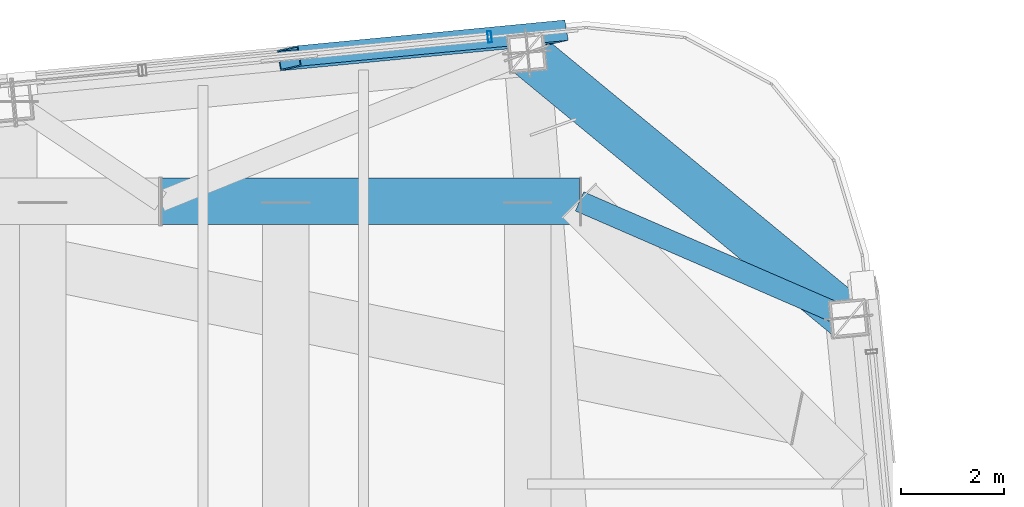
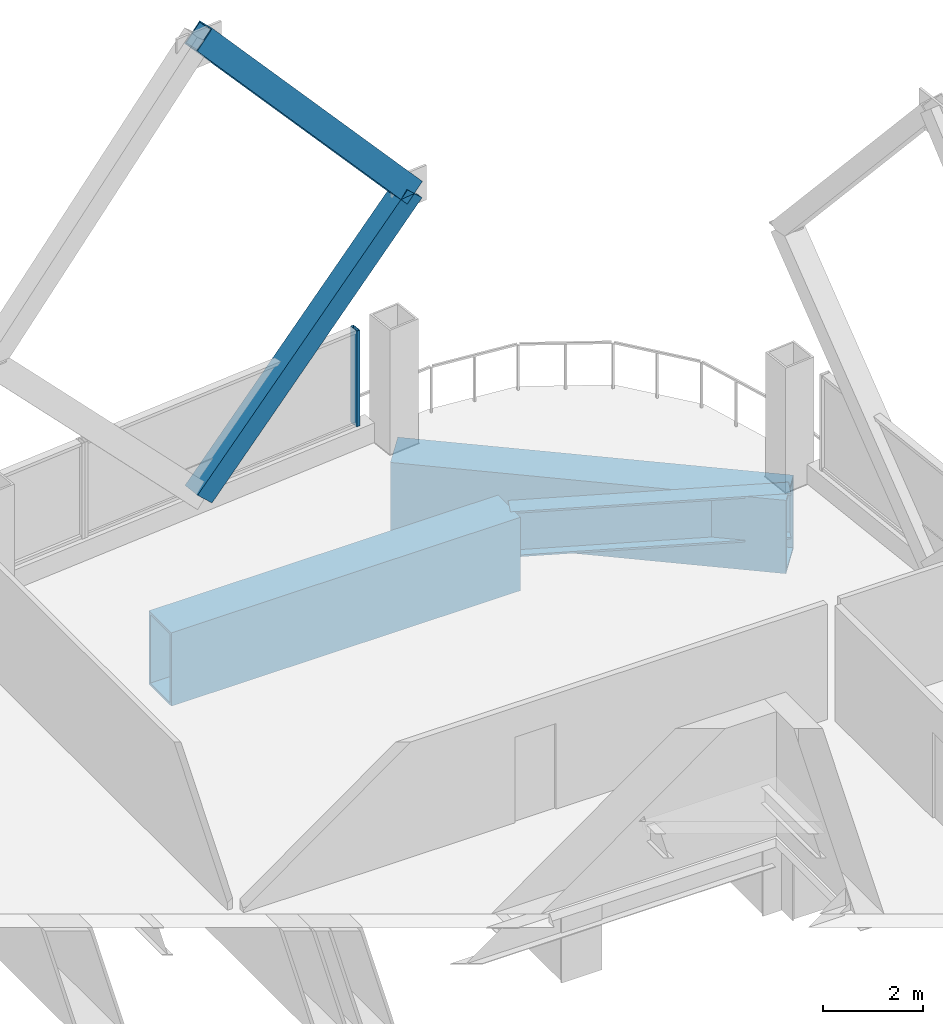
# One storey, part 28 of 37: 3 beams, 3 members, 1 element without a shape of its own.
"""IFC4 building model written with IfcOpenShell, lengths in metres."""

from ifc_helpers import new_model, si_unit, direction, frame, origin, origin_2d, place, context, subcontext, project, spatial, hollow_rectangle, i_section, extrude, material, layer, layer_set, material_profile, profile_set, type_object, element, aggregate, save


model = new_model("IFC4")

# Units and contexts
model_context = context("Model", 3, precision=1e-05, world=origin(), true_north=direction((0.0, 1.0)))
body_context = subcontext(model_context, "Body", "Model", "MODEL_VIEW")
ifc_project = project(units=[si_unit("LENGTHUNIT", "METRE"), si_unit("AREAUNIT", "SQUARE_METRE"), si_unit("VOLUMEUNIT", "CUBIC_METRE"), si_unit("PLANEANGLEUNIT", "RADIAN"), si_unit("MASSUNIT", "GRAM", prefix="KILO")], contexts=[model_context])

# Site, building, storey
site_placement = place(None, origin())
site = spatial("IfcSite", under=ifc_project, at=site_placement, CompositionType="ELEMENT")
building_placement = place(site_placement, origin())
building = spatial("IfcBuilding", under=site, at=building_placement, Name="Qhalaya Broadcast Tower", CompositionType="ELEMENT")
storey_placement = place(building_placement, frame((0.0, 0.0, 156.14990234375)))
storey = spatial("IfcBuildingStorey", under=building, at=storey_placement, Name="L45", CompositionType="ELEMENT", Elevation=156.14990234375)

# Beams
ifc_material_1 = material(Name="Structural Steel ASTM A572 Grade 50", Category="steel")
ifc_material_profile_1 = material_profile(ifc_material_1, hollow_rectangle(XDim=0.89990234375, YDim=1.800048828125, WallThickness=0.06005859375, at=origin_2d()), Name="BOX 900x1800x60")
ifc_profile_set_1 = profile_set([ifc_material_profile_1], Name="Structural Steel ASTM A572 Grade 50")
beam_type_1 = type_object("IfcBeamType", Name="Block Cantilever Transfer Box Girder TG1", PredefinedType="USERDEFINED", material=ifc_profile_set_1)
beam_1_placement = place(storey_placement, frame((15.58203125, 20.400390625, -1.119873046875), z_axis=(-0.771618906354, 0.636085107008, 0.0), x_axis=(-0.636085107008, -0.771618906354, 0.0)))
element("IfcBeam", 1, at=beam_1_placement, inside=storey, type_object=beam_type_1, Name="L45 TG1 L45-SPR-08", ObjectType="GIRDER", PredefinedType="USERDEFINED", context=body_context, shape_type="SweptSolid", body=[
    extrude(hollow_rectangle(XDim=0.89990234375, YDim=1.800048828125, WallThickness=0.06005859375, at=origin_2d()), origin(), (0.0, 0.0, 1.0), 8.06103515625),
])
beam_2_placement = place(storey_placement, frame((10.3798828125, 22.659912109375, -1.119873046875), z_axis=(-1.0, 0.0, 0.0), x_axis=(0.0, -1.0, 0.0)))
element("IfcBeam", 2, at=beam_2_placement, inside=storey, type_object=beam_type_1, Name="L45 TG1 L45-TGL-09", ObjectType="GIRDER", PredefinedType="USERDEFINED", context=body_context, shape_type="SweptSolid", body=[
    extrude(hollow_rectangle(XDim=0.89990234375, YDim=1.800048828125, WallThickness=0.06005859375, at=origin_2d()), origin(), (0.0, 0.0, 1.0), 8.099853515625),
])

# Members
ifc_material_profile_2 = material_profile(ifc_material_1, hollow_rectangle(XDim=0.39990234375, YDim=0.550048828125, WallThickness=0.02490234375, at=origin_2d()), Name="BOX 400x550x25")
ifc_profile_set_2 = profile_set([ifc_material_profile_2], Name="Structural Steel ASTM A572 Grade 50")
member_type_1 = type_object("IfcMemberType", Name="Exoskeleton Diamond Diagonal Mid-High EX3", PredefinedType="BRACE", material=ifc_profile_set_2)
member_1_placement = place(storey_placement, frame((4.76708984375, 25.427001953125, 0.360107421875), z_axis=(0.690631901239, 0.066504325889, 0.720142174594), x_axis=(-0.164115000923, 0.984197121098, 0.066500325516)))
element("IfcMember", 3, at=member_1_placement, inside=storey, type_object=member_type_1, Name="B4 Exoskeleton Diamond Brace N1-D1", PredefinedType="BRACE", context=body_context, shape_type="SweptSolid", body=[
    extrude(hollow_rectangle(XDim=0.39990234375, YDim=0.550048828125, WallThickness=0.02490234375, at=origin_2d()), origin(), (0.0, 0.0, 1.0), 7.470703125),
])
member_2_placement = place(storey_placement, frame((9.926513671875, 25.923828125, 5.739990234375), z_axis=(-0.659476642868, -0.06350423358, 0.749037896123), x_axis=(0.166871781183, -0.983931657235, 0.063500413668)))
element("IfcMember", 4, at=member_2_placement, inside=storey, type_object=member_type_1, Name="B4 Exoskeleton Diamond Brace N1-D3", PredefinedType="BRACE", context=body_context, shape_type="SweptSolid", body=[
    extrude(hollow_rectangle(XDim=0.39990234375, YDim=0.550048828125, WallThickness=0.02490234375, at=origin_2d()), origin(), (0.0, 0.0, 1.0), 7.823486328125),
])

# Beam
ifc_material_2 = material(Name="Structural Steel ASTM A992 Grade 50", Category="steel")
ifc_material_profile_3 = material_profile(ifc_material_2, i_section(OverallWidth=0.404052734375, OverallDepth=1.117919921875, WebThickness=0.026123046875, FlangeThickness=0.044921875, at=origin_2d()), Name="W44X335")
ifc_profile_set_3 = profile_set([ifc_material_profile_3], Name="Structural Steel ASTM A992 Grade 50")
beam_type_2 = type_object("IfcBeamType", Name="Podium Long-Span Primary Girder PG1", PredefinedType="USERDEFINED", material=ifc_profile_set_3)
beam_3_placement = place(storey_placement, frame((10.3798828125, 22.659912109375, -0.77880859375), z_axis=(0.917217129251, -0.398387672762, 0.0), x_axis=(0.398387672762, 0.917217129251, 0.0)))
element("IfcBeam", 5, at=beam_3_placement, inside=storey, type_object=beam_type_2, Name="L45 Column-to-Column Moment Tie Girder 08-2", ObjectType="GIRDER", PredefinedType="USERDEFINED", context=body_context, shape_type="SweptSolid", body=[
    extrude(i_section(OverallWidth=0.404052734375, OverallDepth=1.117919921875, WebThickness=0.026123046875, FlangeThickness=0.044921875, at=origin_2d()), origin(), (0.0, 0.0, 1.0), 5.671630859375),
])

# Curtain wall, member
ifc_material_3 = material(Name="Fired Architectural Terracotta", Category="masonry")
ifc_layer = layer(ifc_material_3, 0.219970703125, Name="Fired Architectural Terracotta")
ifc_layer_set = layer_set([ifc_layer], Name="Fired Architectural Terracotta")
curtain_wall_type = type_object("IfcCurtainWallType", Name="Block-Cap Unitised Terracotta Spandrel Wall CW-07", PredefinedType="NOTDEFINED", material=ifc_layer_set)
curtain_wall_placement = place(storey_placement, origin())
curtain_wall = element("IfcCurtainWall", 6, at=curtain_wall_placement, inside=storey, type_object=curtain_wall_type, Name="L45 Unitised Curtain Wall L45-CW-N1", PredefinedType="NOTDEFINED")
ifc_material_4 = material(Name="Anodised Aluminium 6063-T6", Category="aluminium")
ifc_material_profile_4 = material_profile(ifc_material_4, hollow_rectangle(XDim=0.074951171875, YDim=0.219970703125, WallThickness=0.00390625, at=origin_2d()), Name="ALU-MUL 75x220x4")
ifc_profile_set_4 = profile_set([ifc_material_profile_4], Name="Anodised Aluminium 6063-T6")
member_type_2 = type_object("IfcMemberType", Name="Unitised Curtain-Wall Mullion M01", PredefinedType="MULLION", material=ifc_profile_set_4)
member_3_placement = place(storey_placement, frame((8.64111328125, 25.840087890625, 0.47998046875), z_axis=(0.0, 0.0, 1.0), x_axis=(-0.99539669829, -0.095840560477, 0.0)))
member_3 = element("IfcMember", 7, at=member_3_placement, type_object=member_type_2, Name="CW-07 mullion 1", PredefinedType="MULLION", context=body_context, shape_type="SweptSolid", body=[
    extrude(hollow_rectangle(XDim=0.074951171875, YDim=0.219970703125, WallThickness=0.00390625, at=origin_2d()), origin(), (0.0, 0.0, 1.0), 2.35009765625),
])
aggregate(curtain_wall, [member_3])

save(model, "model.ifc")
